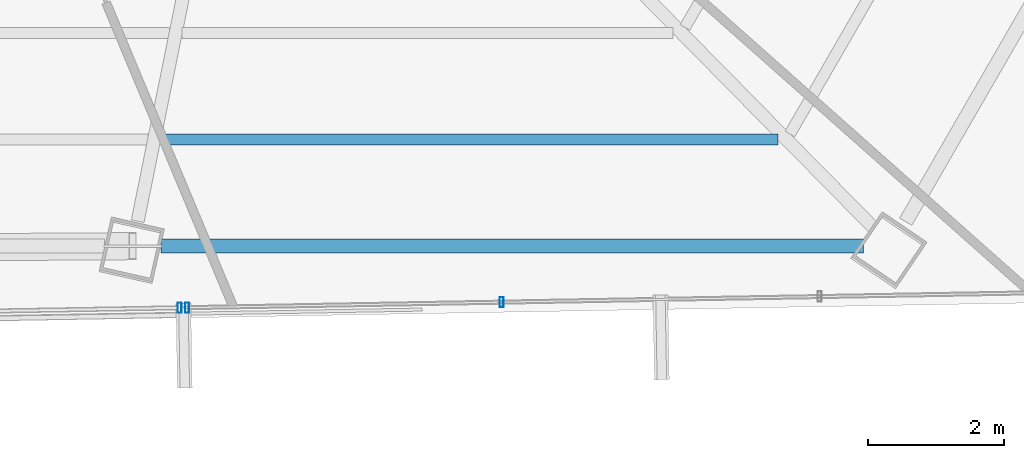
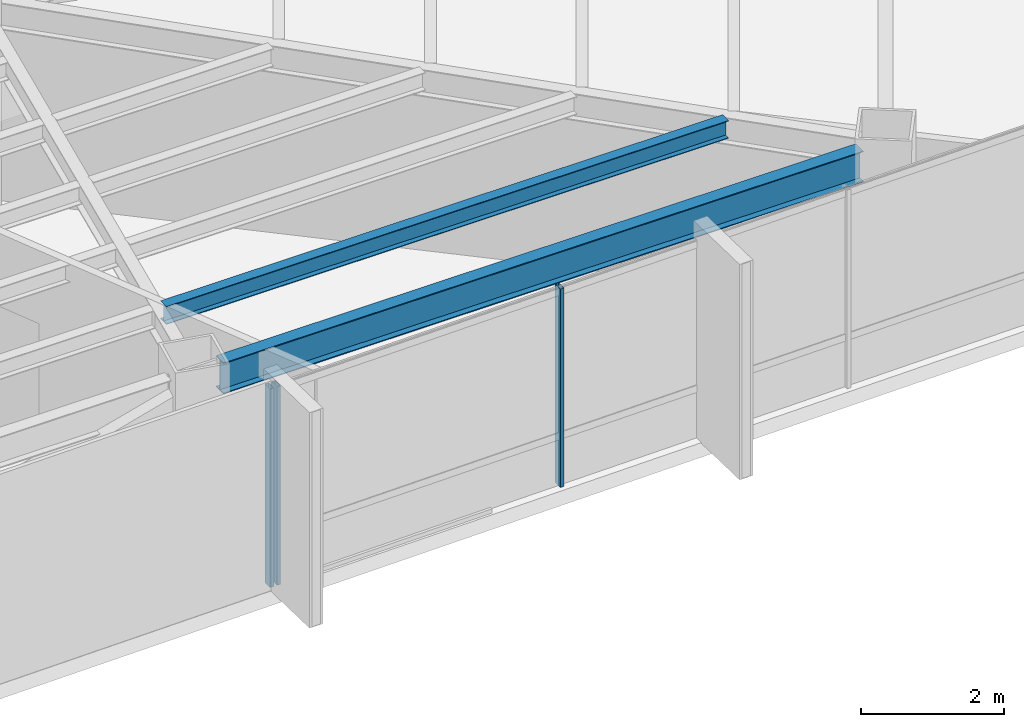
# One storey, part 18 of 42: 3 members, 2 beams, 2 elements without a shape of their own.
"""IFC4 building model written with IfcOpenShell, lengths in metres."""

from ifc_helpers import new_model, si_unit, direction, frame, origin, origin_2d, place, context, subcontext, project, spatial, hollow_rectangle, i_section, extrude, source, transform, mapped, material, material_profile, profile_set, type_object, type_shapes, element, aggregate, save


model = new_model("IFC4")

# Units and contexts
model_context = context("Model", 3, precision=1e-05, world=origin(), true_north=direction((0.0, 1.0)))
body_context = subcontext(model_context, "Body", "Model", "MODEL_VIEW")
ifc_project = project(units=[si_unit("LENGTHUNIT", "METRE"), si_unit("AREAUNIT", "SQUARE_METRE"), si_unit("VOLUMEUNIT", "CUBIC_METRE"), si_unit("PLANEANGLEUNIT", "RADIAN"), si_unit("MASSUNIT", "GRAM", prefix="KILO")], contexts=[model_context])

# Site, building, storey
site_placement = place(None, origin())
site = spatial("IfcSite", under=ifc_project, at=site_placement, CompositionType="ELEMENT")
building_placement = place(site_placement, origin())
building = spatial("IfcBuilding", under=site, at=building_placement, Name="Caelisora Broadcast Tower", CompositionType="ELEMENT")
storey_placement = place(building_placement, frame((0.0, 0.0, 184.050048828125)))
storey = spatial("IfcBuildingStorey", under=building, at=storey_placement, Name="L48", CompositionType="ELEMENT", Elevation=184.050048828125)

# Beams
ifc_material_1 = material(Name="Steel Grade 350 (AS/NZS 3679.1)", Category="steel")
ifc_material_profile_1 = material_profile(ifc_material_1, i_section(OverallWidth=0.208984375, OverallDepth=0.532958984375, WebThickness=0.01025390625, FlangeThickness=0.015625, at=origin_2d()), Name="Steel Grade 350 (AS/NZS 3679.1)")
ifc_profile_set_1 = profile_set([ifc_material_profile_1], Name="Steel Grade 350 (AS/NZS 3679.1)")
beam_type_1 = type_object("IfcBeamType", Name="PG05", PredefinedType="BEAM", material=ifc_profile_set_1)
shared_shape_1 = source(origin(), body_context, "Body", "SweptSolid", [
    extrude(i_section(OverallWidth=0.208984375, OverallDepth=0.532958984375, WebThickness=0.01025390625, FlangeThickness=0.015625, at=origin_2d()), origin(), (0.0, 0.0, 1.0), 10.3603515625),
])
type_shapes(beam_type_1, [shared_shape_1])
beam_1_placement = place(storey_placement, frame((44.01220703125, 7.97119140625, 3.133544921875), z_axis=(1.0, 0.0, 0.0), x_axis=(0.0, 1.0, 0.0)))
element("IfcBeam", 1, at=beam_1_placement, inside=storey, type_object=beam_type_1, Name="L48 beam PG05", PredefinedType="BEAM", context=body_context, shape_type="MappedRepresentation", body=[
    mapped(shared_shape_1, transform((0.0, 0.0, 0.0), scale=1.0)),
])
ifc_material_profile_2 = material_profile(ifc_material_1, i_section(OverallWidth=0.166015625, OverallDepth=0.30712890625, WebThickness=0.006591796875, FlangeThickness=0.01171875, at=origin_2d()), Name="Steel Grade 350 (AS/NZS 3679.1)")
ifc_profile_set_2 = profile_set([ifc_material_profile_2], Name="Steel Grade 350 (AS/NZS 3679.1)")
beam_type_2 = type_object("IfcBeamType", Name="SB03", PredefinedType="JOIST", material=ifc_profile_set_2)
shared_shape_2 = source(origin(), body_context, "Body", "SweptSolid", [
    extrude(i_section(OverallWidth=0.166015625, OverallDepth=0.30712890625, WebThickness=0.006591796875, FlangeThickness=0.01171875, at=origin_2d()), origin(), (0.0, 0.0, 1.0), 9.1015625),
])
type_shapes(beam_type_2, [shared_shape_2])
beam_2_placement = place(storey_placement, frame((44.0078125, 9.542724609375, 3.246337890625), z_axis=(1.0, 0.0, 0.0), x_axis=(0.0, 1.0, 0.0)))
element("IfcBeam", 2, at=beam_2_placement, inside=storey, type_object=beam_type_2, Name="L48 beam SB03", PredefinedType="JOIST", context=body_context, shape_type="MappedRepresentation", body=[
    mapped(shared_shape_2, transform((0.0, 0.0, 0.0), scale=1.0)),
])

# Curtain wall, members
ifc_material_2 = material(Name="Unitised Aluminium and Low-E Glass Curtain Wall", Category="glass")
curtain_wall_type_1 = type_object("IfcCurtainWallType", Name="CW-Z4", PredefinedType="NOTDEFINED", material=ifc_material_2)
curtain_wall_1_placement = place(storey_placement, origin())
curtain_wall_1 = element("IfcCurtainWall", 3, at=curtain_wall_1_placement, inside=storey, type_object=curtain_wall_type_1, Name="L48 curtain wall CW-Z4", PredefinedType="NOTDEFINED")
ifc_material_3 = material(Name="Aluminium 6063-T6 Anodised Terracotta Bronze", Category="aluminium")
ifc_material_profile_3 = material_profile(ifc_material_3, hollow_rectangle(XDim=0.06005859375, YDim=0.14990234375, WallThickness=0.00341796875, at=origin_2d()), Name="Aluminium 6063-T6 Anodised Terracotta Bronze")
ifc_profile_set_3 = profile_set([ifc_material_profile_3], Name="Aluminium 6063-T6 Anodised Terracotta Bronze")
member_type = type_object("IfcMemberType", Name="CWM-03", PredefinedType="MULLION", material=ifc_profile_set_3)
shared_shape_3 = source(origin(), body_context, "Body", "SweptSolid", [
    extrude(hollow_rectangle(XDim=0.06005859375, YDim=0.14990234375, WallThickness=0.00341796875, at=origin_2d()), origin(), (0.0, 0.0, 1.0), 3.39990234375),
])
type_shapes(member_type, [shared_shape_3])
member_1_placement = place(storey_placement, frame((49.03759765625, 7.1455078125, 0.0), z_axis=(0.0, 0.0, 1.0), x_axis=(1.0, 0.0, 0.0)))
member_1 = element("IfcMember", 4, at=member_1_placement, type_object=member_type, Name="L48-CW-B05 mullion #2", PredefinedType="MULLION", context=body_context, shape_type="MappedRepresentation", body=[
    mapped(shared_shape_3, transform((0.0, 0.0, 0.0), scale=1.0)),
])
member_2_placement = place(storey_placement, frame((44.399658203125, 7.064208984375, 0.0), z_axis=(0.0, 0.0, 1.0), x_axis=(1.0, 0.0, 0.0)))
member_2 = element("IfcMember", 5, at=member_2_placement, type_object=member_type, Name="L48-CW-B05 mullion #3", PredefinedType="MULLION", context=body_context, shape_type="MappedRepresentation", body=[
    mapped(shared_shape_3, transform((0.0, 0.0, 0.0), scale=1.0)),
])
aggregate(curtain_wall_1, [member_1, member_2])

# Curtain wall, member
ifc_material_4 = material(Name="Unitised Aluminium Insulated Shadow-Box Spandrel Curtain Wall", Category="aluminium")
curtain_wall_type_2 = type_object("IfcCurtainWallType", Name="CW-SP2", PredefinedType="NOTDEFINED", material=ifc_material_4)
curtain_wall_2_placement = place(storey_placement, origin())
curtain_wall_2 = element("IfcCurtainWall", 6, at=curtain_wall_2_placement, inside=storey, type_object=curtain_wall_type_2, Name="L48 curtain wall CW-SP2", PredefinedType="NOTDEFINED")
member_3_placement = place(storey_placement, frame((44.28955078125, 7.062255859375, 0.0), z_axis=(0.0, 0.0, 1.0), x_axis=(1.0, 0.0, 0.0)))
member_3 = element("IfcMember", 7, at=member_3_placement, type_object=member_type, Name="L48-CW-B06 mullion #0", PredefinedType="MULLION", context=body_context, shape_type="MappedRepresentation", body=[
    mapped(shared_shape_3, transform((0.0, 0.0, 0.0), scale=1.0)),
])
aggregate(curtain_wall_2, [member_3])

save(model, "model.ifc")
